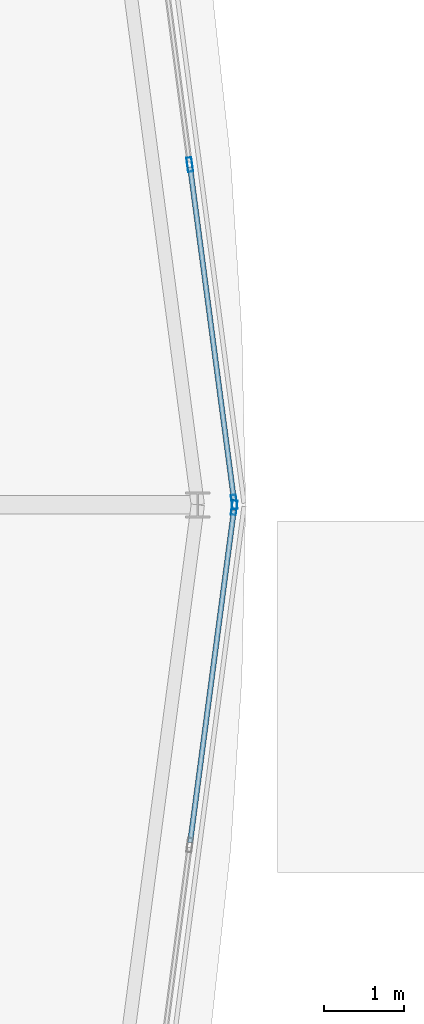
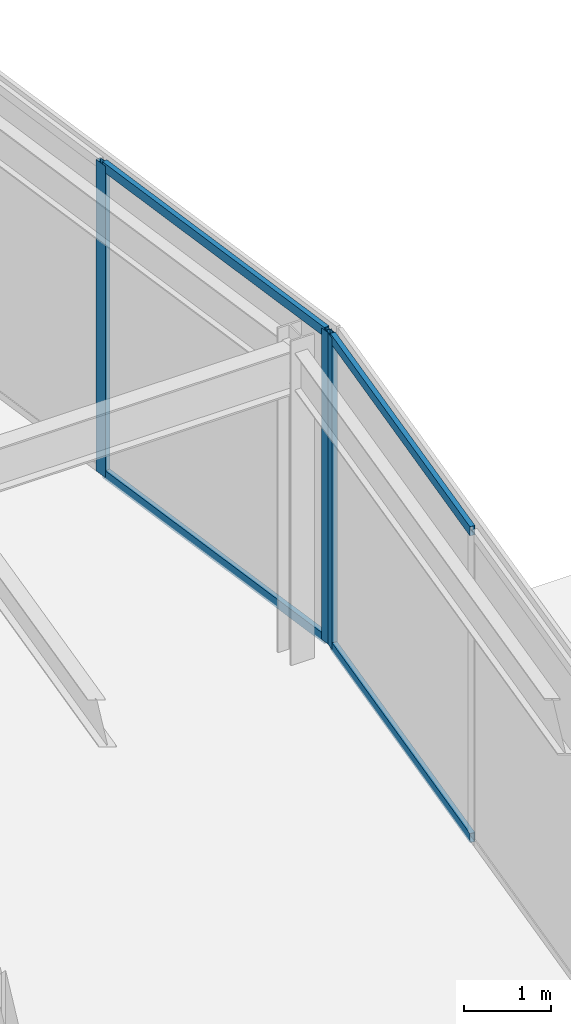
# One storey, part 86 of 133: 7 members, 2 elements without a shape of their own.
"""IFC4 building model written with IfcOpenShell, lengths in metres."""

from ifc_helpers import new_model, si_unit, direction, frame, origin, origin_2d, place, context, subcontext, project, spatial, hollow_rectangle, extrude, material, material_profile, profile_set, type_object, element, aggregate, save


model = new_model("IFC4")

# Units and contexts
model_context = context("Model", 3, precision=1e-05, world=origin(), true_north=direction((0.0, 1.0)))
body_context = subcontext(model_context, "Body", "Model", "MODEL_VIEW")
ifc_project = project(units=[si_unit("LENGTHUNIT", "METRE"), si_unit("AREAUNIT", "SQUARE_METRE"), si_unit("VOLUMEUNIT", "CUBIC_METRE"), si_unit("PLANEANGLEUNIT", "RADIAN"), si_unit("MASSUNIT", "GRAM", prefix="KILO")], contexts=[model_context])

# Site, building, storey
site_placement = place(None, origin())
site = spatial("IfcSite", under=ifc_project, at=site_placement, CompositionType="ELEMENT")
building_placement = place(site_placement, origin())
building = spatial("IfcBuilding", under=site, at=building_placement, Name="Almandine Court Research Institute", CompositionType="ELEMENT")
storey_placement = place(building_placement, frame((0.0, 0.0, 9.800048828125)))
storey = spatial("IfcBuildingStorey", under=building, at=storey_placement, Name="L02", CompositionType="ELEMENT", Elevation=9.800048828125)

# Curtain wall, member
ifc_material_1 = material(Name="Unitised Curtain Wall Framing and Solar Glazing", Category="glass")
curtain_wall_type = type_object("IfcCurtainWallType", Name="CW-CWJ-19", PredefinedType="USERDEFINED", material=ifc_material_1)
curtain_wall_1_placement = place(storey_placement, origin())
curtain_wall_1 = element("IfcCurtainWall", 1, at=curtain_wall_1_placement, inside=storey, type_object=curtain_wall_type, Name="L02 Stacked-Ring Drum Outer Solar Jali Screen 23", ObjectType="SOLAR JALI SCREEN", PredefinedType="USERDEFINED")
ifc_material_2 = material(Name="Anodised Aluminium AW-6063-T6", Category="aluminium")
ifc_material_profile_1 = material_profile(ifc_material_2, hollow_rectangle(XDim=0.06494140625, YDim=0.179931640625, WallThickness=0.00390625, at=origin_2d()), Name="ALU RHS 65x180x4")
ifc_profile_set_1 = profile_set([ifc_material_profile_1], Name="Anodised Aluminium AW-6063-T6")
member_type_1 = type_object("IfcMemberType", Name="CWMul-65x180", PredefinedType="MULLION", material=ifc_profile_set_1)
member_1_placement = place(storey_placement, frame((136.355712890625, 55.9638671875, 0.0), z_axis=(0.0, 0.0, 1.0), x_axis=(0.991442926098, -0.130540891259, 0.0)))
member_1 = element("IfcMember", 2, at=member_1_placement, type_object=member_type_1, Name="CWJ-19 mullion 1", PredefinedType="MULLION", context=body_context, shape_type="SweptSolid", body=[
    extrude(hollow_rectangle(XDim=0.06494140625, YDim=0.179931640625, WallThickness=0.00390625, at=origin_2d()), origin(), (0.0, 0.0, 1.0), 4.369873046875),
])

# Curtain wall, members
curtain_wall_2_placement = place(storey_placement, origin())
curtain_wall_2 = element("IfcCurtainWall", 3, at=curtain_wall_2_placement, inside=storey, type_object=curtain_wall_type, Name="L02 Stacked-Ring Drum Outer Solar Jali Screen 00", ObjectType="SOLAR JALI SCREEN", PredefinedType="USERDEFINED")
member_2_placement = place(storey_placement, frame((135.799560546875, 60.259765625, 0.0), z_axis=(0.0, 0.0, 1.0), x_axis=(0.991442926098, 0.130540891259, 0.0)))
member_2 = element("IfcMember", 4, at=member_2_placement, type_object=member_type_1, Name="CWJ-19 mullion 3", PredefinedType="MULLION", context=body_context, shape_type="SweptSolid", body=[
    extrude(hollow_rectangle(XDim=0.06494140625, YDim=0.179931640625, WallThickness=0.00390625, at=origin_2d()), origin(), (0.0, 0.0, 1.0), 4.369873046875),
])
member_3_placement = place(storey_placement, frame((136.355712890625, 56.0361328125, 0.0), z_axis=(0.0, 0.0, 1.0), x_axis=(0.991442926098, 0.130540891259, 0.0)))
member_3 = element("IfcMember", 5, at=member_3_placement, type_object=member_type_1, Name="CWJ-19 mullion 4", PredefinedType="MULLION", context=body_context, shape_type="SweptSolid", body=[
    extrude(hollow_rectangle(XDim=0.06494140625, YDim=0.179931640625, WallThickness=0.00390625, at=origin_2d()), origin(), (0.0, 0.0, 1.0), 4.369873046875),
])

# Member
ifc_material_profile_2 = material_profile(ifc_material_2, hollow_rectangle(XDim=0.06494140625, YDim=0.1298828125, WallThickness=0.00390625, at=origin_2d()), Name="ALU RHS 65x130x4")
ifc_profile_set_2 = profile_set([ifc_material_profile_2], Name="Anodised Aluminium AW-6063-T6")
member_type_2 = type_object("IfcMemberType", Name="CWTrn-65x130", PredefinedType="NOTDEFINED", material=ifc_profile_set_2)
member_4_placement = place(storey_placement, frame((136.3515625, 55.931640625, 0.032470703125), z_axis=(-0.130535805655, -0.991443595694, 0.0), x_axis=(0.991443595694, -0.130535805655, 0.0)))
member_4 = element("IfcMember", 6, at=member_4_placement, type_object=member_type_2, Name="CWJ-19 transom 1.1", ObjectType="TRANSOM", PredefinedType="USERDEFINED", context=body_context, shape_type="SweptSolid", body=[
    extrude(hollow_rectangle(XDim=0.06494140625, YDim=0.1298828125, WallThickness=0.00390625, at=origin_2d()), origin(), (0.0, 0.0, 1.0), 4.195068359375),
])

member_5_placement = place(storey_placement, frame((136.3515625, 55.931640625, 4.33740234375), z_axis=(-0.130535805655, -0.991443595694, 0.0), x_axis=(0.991443595694, -0.130535805655, 0.0)))
member_5 = element("IfcMember", 7, at=member_5_placement, type_object=member_type_2, Name="CWJ-19 transom 1.2", ObjectType="TRANSOM", PredefinedType="USERDEFINED", context=body_context, shape_type="SweptSolid", body=[
    extrude(hollow_rectangle(XDim=0.06494140625, YDim=0.1298828125, WallThickness=0.00390625, at=origin_2d()), origin(), (0.0, 0.0, 1.0), 4.195068359375),
])

aggregate(curtain_wall_1, [member_1, member_4, member_5])

member_6_placement = place(storey_placement, frame((135.803955078125, 60.2275390625, 0.032470703125), z_axis=(0.130535805655, -0.991443595694, 0.0), x_axis=(0.991443595694, 0.130535805655, 0.0)))
member_6 = element("IfcMember", 8, at=member_6_placement, type_object=member_type_2, Name="CWJ-19 transom 3.1", ObjectType="TRANSOM", PredefinedType="USERDEFINED", context=body_context, shape_type="SweptSolid", body=[
    extrude(hollow_rectangle(XDim=0.06494140625, YDim=0.1298828125, WallThickness=0.00390625, at=origin_2d()), origin(), (0.0, 0.0, 1.0), 4.195068359375),
])

member_7_placement = place(storey_placement, frame((135.803955078125, 60.2275390625, 4.33740234375), z_axis=(0.130535805655, -0.991443595694, 0.0), x_axis=(0.991443595694, 0.130535805655, 0.0)))
member_7 = element("IfcMember", 9, at=member_7_placement, type_object=member_type_2, Name="CWJ-19 transom 3.2", ObjectType="TRANSOM", PredefinedType="USERDEFINED", context=body_context, shape_type="SweptSolid", body=[
    extrude(hollow_rectangle(XDim=0.06494140625, YDim=0.1298828125, WallThickness=0.00390625, at=origin_2d()), origin(), (0.0, 0.0, 1.0), 4.195068359375),
])

aggregate(curtain_wall_2, [member_2, member_3, member_6, member_7])

save(model, "model.ifc")
